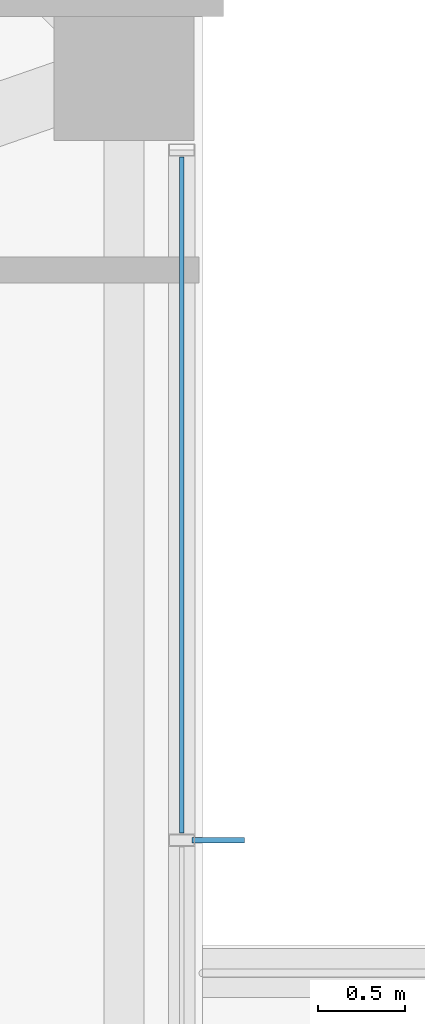
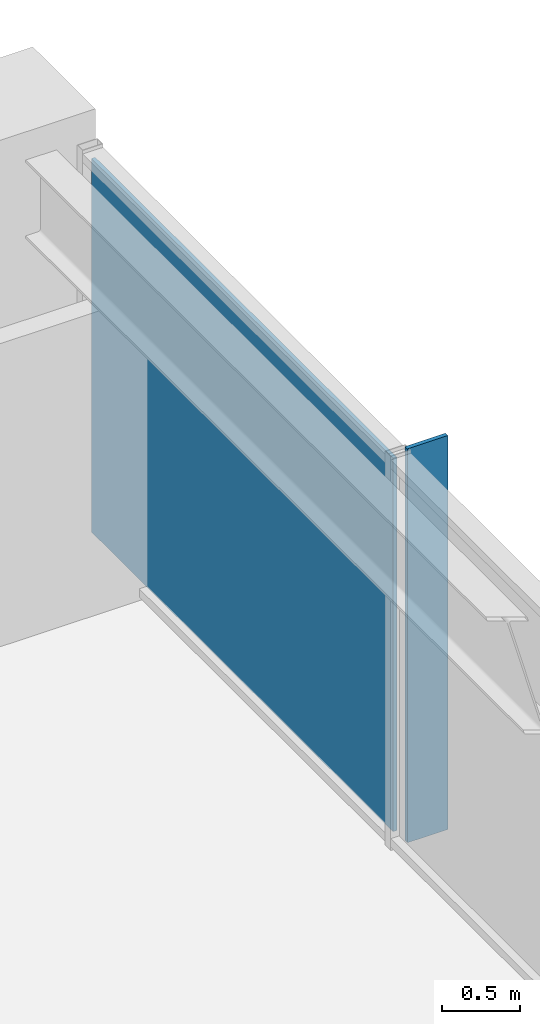
# One storey, part 26 of 34: 2 plates, 1 element without a shape of its own.
"""IFC4 building model written with IfcOpenShell, lengths in metres."""

import ifcopenshell
import ifcopenshell.guid

model = None  # the IFC model being written
_history = None  # IfcOwnerHistory: only IFC2X3 demands one
_inside = {}  # id of a spatial element -> (the spatial element, [elements in it])
_under = {}  # id of a project, library or spatial element -> (it, [spatial elements below it])
_declared = {}  # id of a project -> (the project, [libraries it declares])
_typed = {}  # id of a type object -> (the type object, [elements of that type])
_made_of = {}  # id of a material, layer set ... -> (it, [elements and type objects made of it])


def new_model(schema):
    """Start an empty IFC model of exactly this schema.

    Asked for "IFC4X3", IfcOpenShell would pick the latest addendum, in which some entities
    have other attributes; the version numbers below select the first issue.
    IFC2X3 requires an IfcOwnerHistory on every rooted entity: one is made here for all.
    """
    global model, _history
    if schema == "IFC4X3":
        model = ifcopenshell.file(schema_version=(4, 3, 0, 0))
    else:
        model = ifcopenshell.file(schema=schema)
    _inside.clear()
    _under.clear()
    _declared.clear()
    _typed.clear()
    _made_of.clear()
    _history = None
    if model.schema == "IFC2X3":
        org = make("IfcOrganization", Name="unknown")
        user = make(
            "IfcPersonAndOrganization",
            ThePerson=make("IfcPerson", FamilyName="unknown"),
            TheOrganization=org,
        )
        app = make(
            "IfcApplication",
            ApplicationDeveloper=org,
            Version="unknown",
            ApplicationFullName="unknown",
            ApplicationIdentifier="unknown",
        )
        _history = make(
            "IfcOwnerHistory",
            OwningUser=user,
            OwningApplication=app,
            ChangeAction="ADDED",
            CreationDate=0,
        )
    return model


def make(cls, **values):
    """One entity of the class cls with the attributes given. An attribute that is None is left unset."""
    return model.create_entity(
        cls, **{name: value for name, value in values.items() if value is not None}
    )


def rooted(cls, **values):
    """An entity with a GlobalId (a new one), such as an element, a storey or a relation."""
    return make(cls, GlobalId=ifcopenshell.guid.new(), OwnerHistory=_history, **values)


def si_unit(unit_type, name, prefix=None):
    """IfcSIUnit, for example si_unit("LENGTHUNIT", "METRE", prefix="MILLI")."""
    return make("IfcSIUnit", UnitType=unit_type, Prefix=prefix, Name=name)


def assignment(units):
    """IfcUnitAssignment: the units of a project."""
    return None if units is None else make("IfcUnitAssignment", Units=units)


def point(xyz):
    """IfcCartesianPoint."""
    return None if xyz is None else make("IfcCartesianPoint", Coordinates=xyz)


def direction(xyz):
    """IfcDirection."""
    return None if xyz is None else make("IfcDirection", DirectionRatios=xyz)


def frame(location, z_axis=None, x_axis=None):
    """IfcAxis2Placement3D, a coordinate frame: its origin and axes. An axis left out is left unset."""
    return make(
        "IfcAxis2Placement3D",
        Location=point(location),
        Axis=direction(z_axis),
        RefDirection=direction(x_axis),
    )


def frame_2d(location, x_axis=None):
    """IfcAxis2Placement2D, a coordinate frame in the plane: its origin and x axis."""
    return make(
        "IfcAxis2Placement2D", Location=point(location), RefDirection=direction(x_axis)
    )


def origin():
    """The frame at (0, 0, 0) with its axes left unset."""
    return frame((0.0, 0.0, 0.0))


def origin_2d():
    """The frame at (0, 0) in the plane with its x axis left unset."""
    return frame_2d((0.0, 0.0))


def place(relative_to, where):
    """IfcLocalPlacement: puts the frame where relative to a parent placement (None: the world)."""
    return make(
        "IfcLocalPlacement", PlacementRelTo=relative_to, RelativePlacement=where
    )


def context(
    kind, dimensions, precision=None, world=None, true_north=None, identifier=None
):
    """IfcGeometricRepresentationContext, for example the 3D "Model" context."""
    return make(
        "IfcGeometricRepresentationContext",
        ContextIdentifier=identifier,
        ContextType=kind,
        CoordinateSpaceDimension=dimensions,
        Precision=precision,
        WorldCoordinateSystem=world,
        TrueNorth=true_north,
    )


def subcontext(parent, identifier, kind, view, scale=None):
    """IfcGeometricRepresentationSubContext, for example "Body" below "Model"."""
    return make(
        "IfcGeometricRepresentationSubContext",
        ContextIdentifier=identifier,
        ContextType=kind,
        ParentContext=parent,
        TargetScale=scale,
        TargetView=view,
    )


def project(units=None, contexts=None):
    """IfcProject with its units and contexts."""
    return rooted(
        "IfcProject",
        Name="project",
        RepresentationContexts=contexts,
        UnitsInContext=assignment(units),
    )


def spatial(cls, under=None, at=None, **own):
    """A site, building, storey or space (cls), placed at a placement, below another one or the project."""
    s = rooted(cls, ObjectPlacement=at, **own)
    if under is not None:
        _under.setdefault(under.id(), (under, []))[1].append(s)
    return s


def profile(cls, at=None, kind="AREA", **sizes):
    """A parametric profile (cls). Its sizes go by their IFC names, for example OverallWidth=200.0."""
    return make(cls, ProfileType=kind, Position=at, **sizes)


def rectangle(**sizes):
    """IfcRectangleProfileDef."""
    return profile("IfcRectangleProfileDef", **sizes)


def extrude(swept, where, along, depth):
    """IfcExtrudedAreaSolid: the profile swept, set in the frame where, extruded along a direction by depth."""
    return make(
        "IfcExtrudedAreaSolid",
        SweptArea=swept,
        Position=where,
        ExtrudedDirection=direction(along),
        Depth=depth,
    )


def shape(context_of_items, identifier, shape_type, items):
    """IfcShapeRepresentation: the items that make up one representation, for example the "Body"."""
    return make(
        "IfcShapeRepresentation",
        ContextOfItems=context_of_items,
        RepresentationIdentifier=identifier,
        RepresentationType=shape_type,
        Items=items,
    )


def material(Name=None, Category=None):
    """IfcMaterial."""
    return make("IfcMaterial", Name=Name, Category=Category)


def layer(
    of_material, thickness, ventilated=None, Name=None, Category=None, Priority=None
):
    """IfcMaterialLayer: one layer of a wall or slab, of a material (None: an air gap)."""
    return make(
        "IfcMaterialLayer",
        Material=of_material,
        LayerThickness=thickness,
        IsVentilated=ventilated,
        Name=Name,
        Category=Category,
        Priority=Priority,
    )


def layer_set(layers, Name=None):
    """IfcMaterialLayerSet."""
    return make("IfcMaterialLayerSet", MaterialLayers=layers, LayerSetName=Name)


def made_of(thing, what):
    """Note that an element or type object is made of a material, layer set ...; save() writes the relation."""
    if what is not None:
        _made_of.setdefault(what.id(), (what, []))[1].append(thing)
    return thing


def type_object(cls, material=None, **own):
    """A type object (cls), such as IfcWallType, which elements share."""
    return made_of(rooted(cls, **own), material)


def element(
    cls,
    number,
    at=None,
    inside=None,
    cuts=None,
    type_object=None,
    material=None,
    context=None,
    identifier="Body",
    shape_type=None,
    held_by="IfcProductDefinitionShape",
    body=None,
    shapes=None,
    **own,
):
    """One element of the class cls, such as IfcWall. Its Tag is "e" and its number.

    at: its placement. inside: the storey or other place that contains it. cuts: it is an
    opening in that element (IfcRelVoidsElement). A single representation is given by context,
    identifier, shape_type and body (its items); several are given by shapes. held_by: the class
    of the entity that holds the representations. save() writes the other relations.
    """
    e = rooted(cls, Tag="e%d" % number, ObjectPlacement=at, **own)
    if body is not None:
        shapes = [shape(context, identifier, shape_type, body)]
    if shapes is not None:
        e.Representation = make(held_by, Representations=shapes)
    if inside is not None:
        _inside.setdefault(inside.id(), (inside, []))[1].append(e)
    if cuts is not None:
        rooted(
            "IfcRelVoidsElement", RelatingBuildingElement=cuts, RelatedOpeningElement=e
        )
    if type_object is not None:
        _typed.setdefault(type_object.id(), (type_object, []))[1].append(e)
    return made_of(e, material)


def aggregate(whole, parts):
    """IfcRelAggregates: a whole, such as a stair, and the parts it consists of."""
    return rooted("IfcRelAggregates", RelatingObject=whole, RelatedObjects=parts)


def save(model, path):
    """Write the relations noted so far, then the file.

    IfcRelAggregates (storeys below a building ...), IfcRelContainedInSpatialStructure (elements
    in a storey), IfcRelDefinesByType, IfcRelAssociatesMaterial and IfcRelDeclares: one each for
    every whole, place, type object, material and project.
    """
    for whole, parts in _under.values():
        aggregate(whole, parts)
    for where, things in _inside.values():
        rooted(
            "IfcRelContainedInSpatialStructure",
            RelatedElements=things,
            RelatingStructure=where,
        )
    for kind, things in _typed.values():
        rooted("IfcRelDefinesByType", RelatedObjects=things, RelatingType=kind)
    for what, things in _made_of.values():
        rooted("IfcRelAssociatesMaterial", RelatedObjects=things, RelatingMaterial=what)
    for by, libraries in _declared.values():
        rooted("IfcRelDeclares", RelatingContext=by, RelatedDefinitions=libraries)
    model.write(path)


model = new_model("IFC4")

# Units and contexts
model_context = context("Model", 3, precision=1e-05, world=origin(), true_north=direction((0.0, 1.0)))
body_context = subcontext(model_context, "Body", "Model", "MODEL_VIEW")
ifc_project = project(units=[si_unit("LENGTHUNIT", "METRE"), si_unit("AREAUNIT", "SQUARE_METRE"), si_unit("VOLUMEUNIT", "CUBIC_METRE"), si_unit("PLANEANGLEUNIT", "RADIAN"), si_unit("MASSUNIT", "GRAM", prefix="KILO")], contexts=[model_context])

# Site, building, storey
site_placement = place(None, origin())
site = spatial("IfcSite", under=ifc_project, at=site_placement, CompositionType="ELEMENT")
building_placement = place(site_placement, origin())
building = spatial("IfcBuilding", under=site, at=building_placement, Name="Kolvaren Belvedere", CompositionType="ELEMENT")
storey_placement = place(building_placement, frame((0.0, 0.0, 222.89990234375)))
storey = spatial("IfcBuildingStorey", under=building, at=storey_placement, Name="L65", CompositionType="ELEMENT", Elevation=222.89990234375)

# Curtain wall, plate
ifc_material_1 = material(Name="Anodised pale-metal aluminium AA 6063-T6", Category="aluminium")
curtain_wall_type = type_object("IfcCurtainWallType", Name="CW-Z5-HIGH", PredefinedType="NOTDEFINED", material=ifc_material_1)
curtain_wall_placement = place(storey_placement, origin())
curtain_wall = element("IfcCurtainWall", 1, at=curtain_wall_placement, inside=storey, type_object=curtain_wall_type, Name="L65 Unitised Curtain Wall FCW-L65-E1-B1", PredefinedType="NOTDEFINED")
ifc_material_2 = material(Name="Low-iron triple insulated glass", Category="glass")
ifc_layer_1 = layer(ifc_material_2, 0.028076171875)
ifc_layer_set_1 = layer_set([ifc_layer_1], Name="Low-iron triple insulated glass")
plate_type_1 = type_object("IfcPlateType", Name="CW-PNL-VIS28", PredefinedType="CURTAIN_PANEL", material=ifc_layer_set_1)
plate_1_placement = place(storey_placement, frame((20.280029296875, 10.972412109375, 0.080078125), z_axis=(0.0, 0.0, 1.0), x_axis=(0.0, -1.0, 0.0)))
plate_1 = element("IfcPlate", 2, at=plate_1_placement, type_object=plate_type_1, Name="FCW-L65-E1-B1 Vision Glazing Panel 1", PredefinedType="CURTAIN_PANEL", context=body_context, shape_type="SweptSolid", body=[
    extrude(rectangle(XDim=3.864990234375, YDim=0.028076171875, at=origin_2d()), origin(), (0.0, 0.0, 1.0), 2.919921875),
])
aggregate(curtain_wall, [plate_1])

# Plate
ifc_material_3 = material(Name="Anodised pale-metal aluminium AA 6063-T6", Category="aluminium")
ifc_layer_2 = layer(ifc_material_3, 0.030029296875)
ifc_layer_set_2 = layer_set([ifc_layer_2], Name="Anodised pale-metal aluminium AA 6063-T6")
plate_type_2 = type_object("IfcPlateType", Name="FIN-VERT-300", PredefinedType="USERDEFINED", material=ifc_layer_set_2)
plate_2_placement = place(storey_placement, frame((20.489990234375, 9.0, 0.0), z_axis=(0.0, 0.0, 1.0), x_axis=(1.0, 0.0, 0.0)))
element("IfcPlate", 3, at=plate_2_placement, inside=storey, type_object=plate_type_2, Name="L65 Pale-Metal Vertical Shading Fin FCW-L65-E1-B1-1", ObjectType="VERTICAL FIN", PredefinedType="USERDEFINED", context=body_context, shape_type="SweptSolid", body=[
    extrude(rectangle(XDim=0.300048828125, YDim=0.030029296875, at=origin_2d()), origin(), (0.0, 0.0, 1.0), 3.080078125),
])

save(model, "model.ifc")
